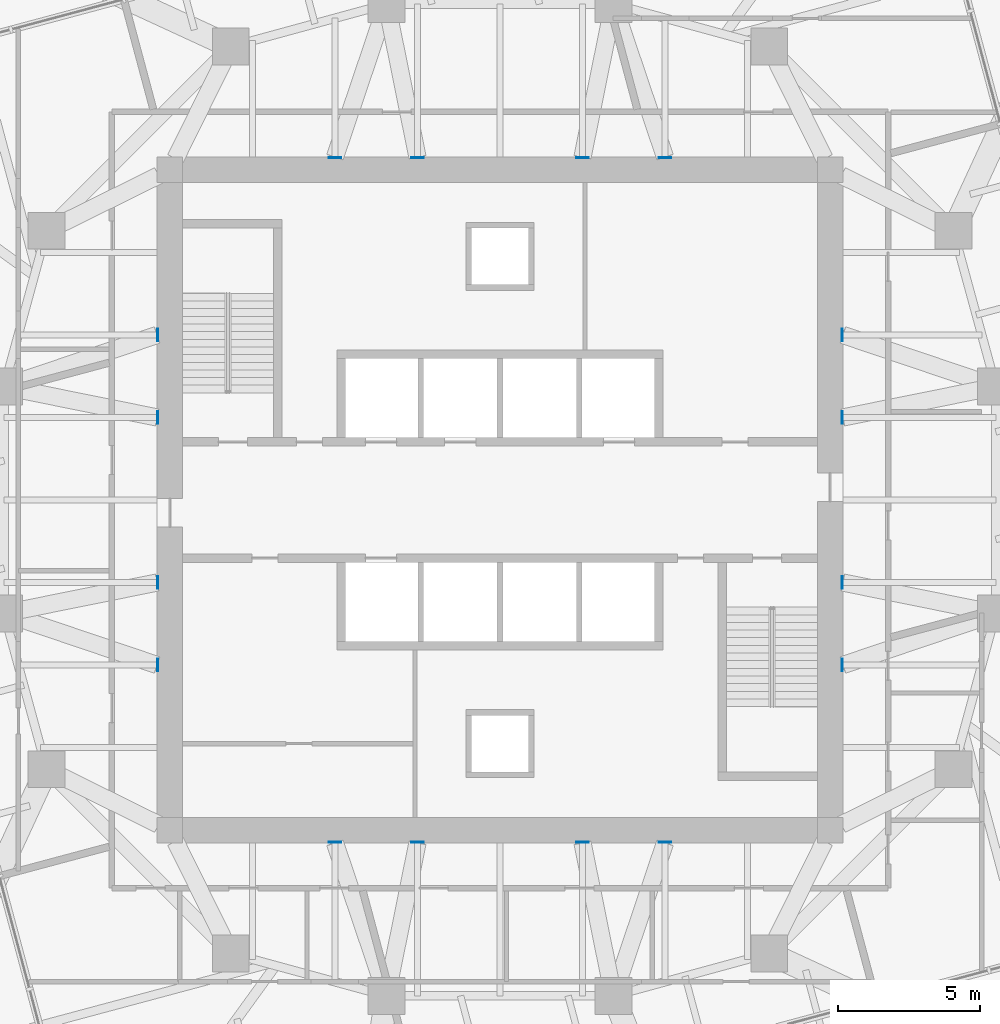
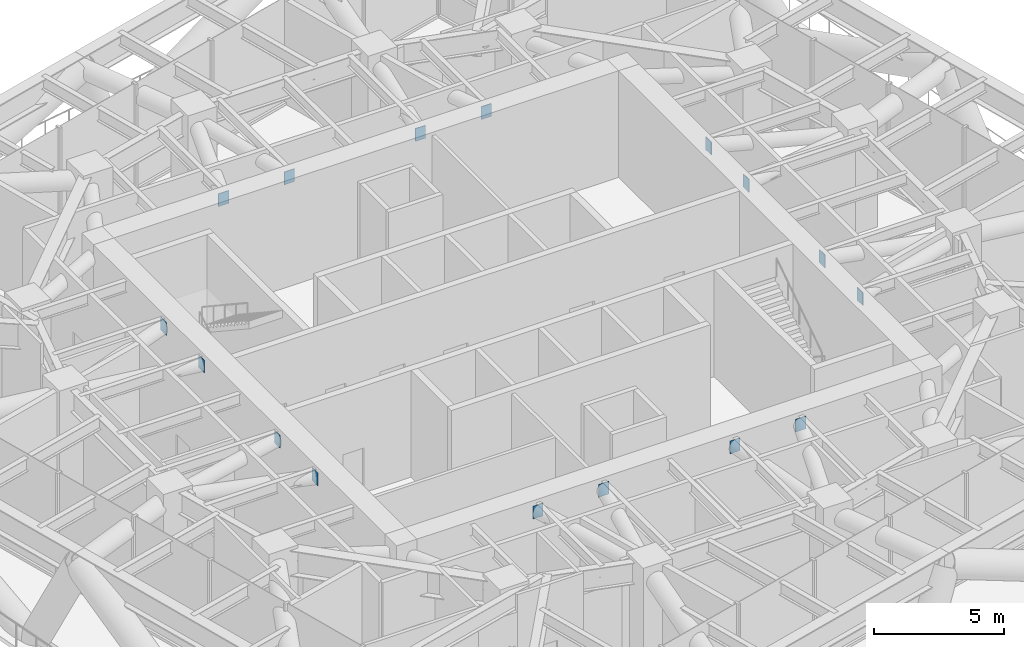
# One storey, part 12 of 14: 16 discrete accessories.
"""IFC4 building model written with IfcOpenShell, lengths in metres."""

from ifc_helpers import new_model, si_unit, direction, frame, origin, origin_2d, place, context, subcontext, project, spatial, rectangle, extrude, material, layer, layer_set, type_object, element, save


model = new_model("IFC4")

# Units and contexts
model_context = context("Model", 3, precision=1e-05, world=origin(), true_north=direction((0.0, 1.0)))
body_context = subcontext(model_context, "Body", "Model", "MODEL_VIEW")
ifc_project = project(units=[si_unit("LENGTHUNIT", "METRE"), si_unit("AREAUNIT", "SQUARE_METRE"), si_unit("VOLUMEUNIT", "CUBIC_METRE"), si_unit("PLANEANGLEUNIT", "RADIAN"), si_unit("MASSUNIT", "GRAM", prefix="KILO")], contexts=[model_context])

# Site, building, storey
site_placement = place(None, origin())
site = spatial("IfcSite", under=ifc_project, at=site_placement, CompositionType="ELEMENT")
building_placement = place(site_placement, origin())
building = spatial("IfcBuilding", under=site, at=building_placement, Name="Torsade Residences", CompositionType="ELEMENT")
storey_placement = place(building_placement, frame((0.0, 0.0, 106.60009765625)))
storey = spatial("IfcBuildingStorey", under=building, at=storey_placement, Name="L29", CompositionType="ELEMENT", Elevation=106.60009765625)

# Discrete accessories
ifc_material = material(Name="Steel grade 350", Category="steel")
ifc_layer = layer(ifc_material, 0.031982421875)
ifc_layer_set = layer_set([ifc_layer], Name="Steel grade 350")
discrete_accessory_type = type_object("IfcDiscreteAccessoryType", Name="CAST-IN PLATE 450x600x32", PredefinedType="ANCHORPLATE", material=ifc_layer_set)
for number, where, z_axis, x_axis, name in (
    (1, (52.083984375, 27.08740234375, 4.1357421875), (0.0, 0.0, 1.0), (1.0, 0.0, 0.0), "Cast-in plate PB1 PB-L30-IR01IE03"),
    (2, (52.083984375, 24.175048828125, 4.1357421875), (0.0, 0.0, 1.0), (1.0, 0.0, 0.0), "Cast-in plate PB1 PB-L30-IR01IE02"),
    (3, (52.083984375, 32.91259765625, 4.1357421875), (0.0, 0.0, 1.0), (1.0, 0.0, 0.0), "Cast-in plate PB1 PB-L30-IR02IE05"),
    (4, (52.083984375, 35.824951171875, 4.1357421875), (0.0, 0.0, 1.0), (1.0, 0.0, 0.0), "Cast-in plate PB1 PB-L30-IR02IE06"),
):
    element("IfcDiscreteAccessory", number, at=place(storey_placement, frame(where, z_axis=z_axis, x_axis=x_axis)), inside=storey, type_object=discrete_accessory_type, Name=name, PredefinedType="ANCHORPLATE", context=body_context, shape_type="SweptSolid", body=[
        extrude(rectangle(XDim=0.031982421875, YDim=0.449951171875, at=origin_2d()), origin(), (0.0, 0.0, 1.0), 0.60009765625),
    ])
for number, where, z_axis, x_axis, name in (
    (5, (42.91259765625, 42.083984375, 4.1357421875), (0.0, 0.0, 1.0), (1.0, 0.0, 0.0), "Cast-in plate PB1 PB-L30-IR05IN05"),
    (6, (45.824951171875, 42.083984375, 4.1357421875), (0.0, 0.0, 1.0), (1.0, 0.0, 0.0), "Cast-in plate PB1 PB-L30-IR05IN06"),
    (7, (37.08740234375, 42.083984375, 4.1357421875), (0.0, 0.0, 1.0), (1.0, 0.0, 0.0), "Cast-in plate PB1 PB-L30-IR06IN03"),
    (8, (34.175048828125, 42.083984375, 4.1357421875), (0.0, 0.0, 1.0), (1.0, 0.0, 0.0), "Cast-in plate PB1 PB-L30-IR06IN02"),
):
    element("IfcDiscreteAccessory", number, at=place(storey_placement, frame(where, z_axis=z_axis, x_axis=x_axis)), inside=storey, type_object=discrete_accessory_type, Name=name, PredefinedType="ANCHORPLATE", context=body_context, shape_type="SweptSolid", body=[
        extrude(rectangle(XDim=0.449951171875, YDim=0.031982421875, at=origin_2d()), origin(), (0.0, 0.0, 1.0), 0.60009765625),
    ])
for number, where, z_axis, x_axis, name in (
    (9, (27.916015625, 32.91259765625, 4.1357421875), (0.0, 0.0, 1.0), (1.0, 0.0, 0.0), "Cast-in plate PB1 PB-L30-IR09IW03"),
    (10, (27.916015625, 35.824951171875, 4.1357421875), (0.0, 0.0, 1.0), (1.0, 0.0, 0.0), "Cast-in plate PB1 PB-L30-IR09IW02"),
    (11, (27.916015625, 27.08740234375, 4.1357421875), (0.0, 0.0, 1.0), (1.0, 0.0, 0.0), "Cast-in plate PB1 PB-L30-IR10IW05"),
    (12, (27.916015625, 24.175048828125, 4.1357421875), (0.0, 0.0, 1.0), (1.0, 0.0, 0.0), "Cast-in plate PB1 PB-L30-IR10IW06"),
):
    element("IfcDiscreteAccessory", number, at=place(storey_placement, frame(where, z_axis=z_axis, x_axis=x_axis)), inside=storey, type_object=discrete_accessory_type, Name=name, PredefinedType="ANCHORPLATE", context=body_context, shape_type="SweptSolid", body=[
        extrude(rectangle(XDim=0.031982421875, YDim=0.449951171875, at=origin_2d()), origin(), (0.0, 0.0, 1.0), 0.60009765625),
    ])
for number, where, z_axis, x_axis, name in (
    (13, (37.08740234375, 17.916015625, 4.1357421875), (0.0, 0.0, 1.0), (1.0, 0.0, 0.0), "Cast-in plate PB1 PB-L30-IR13IS05"),
    (14, (34.175048828125, 17.916015625, 4.1357421875), (0.0, 0.0, 1.0), (1.0, 0.0, 0.0), "Cast-in plate PB1 PB-L30-IR13IS06"),
    (15, (42.91259765625, 17.916015625, 4.1357421875), (0.0, 0.0, 1.0), (1.0, 0.0, 0.0), "Cast-in plate PB1 PB-L30-IR14IS03"),
    (16, (45.824951171875, 17.916015625, 4.1357421875), (0.0, 0.0, 1.0), (1.0, 0.0, 0.0), "Cast-in plate PB1 PB-L30-IR14IS02"),
):
    element("IfcDiscreteAccessory", number, at=place(storey_placement, frame(where, z_axis=z_axis, x_axis=x_axis)), inside=storey, type_object=discrete_accessory_type, Name=name, PredefinedType="ANCHORPLATE", context=body_context, shape_type="SweptSolid", body=[
        extrude(rectangle(XDim=0.449951171875, YDim=0.031982421875, at=origin_2d()), origin(), (0.0, 0.0, 1.0), 0.60009765625),
    ])

save(model, "model.ifc")
